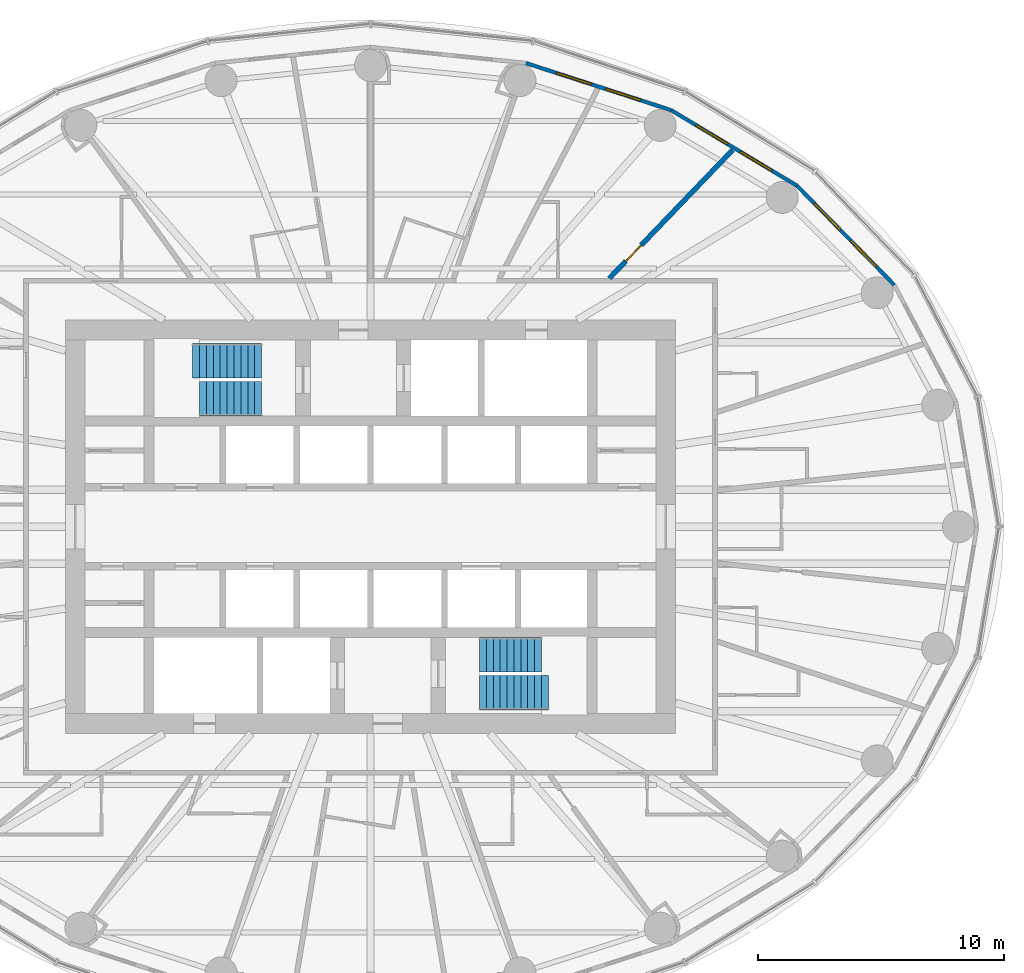
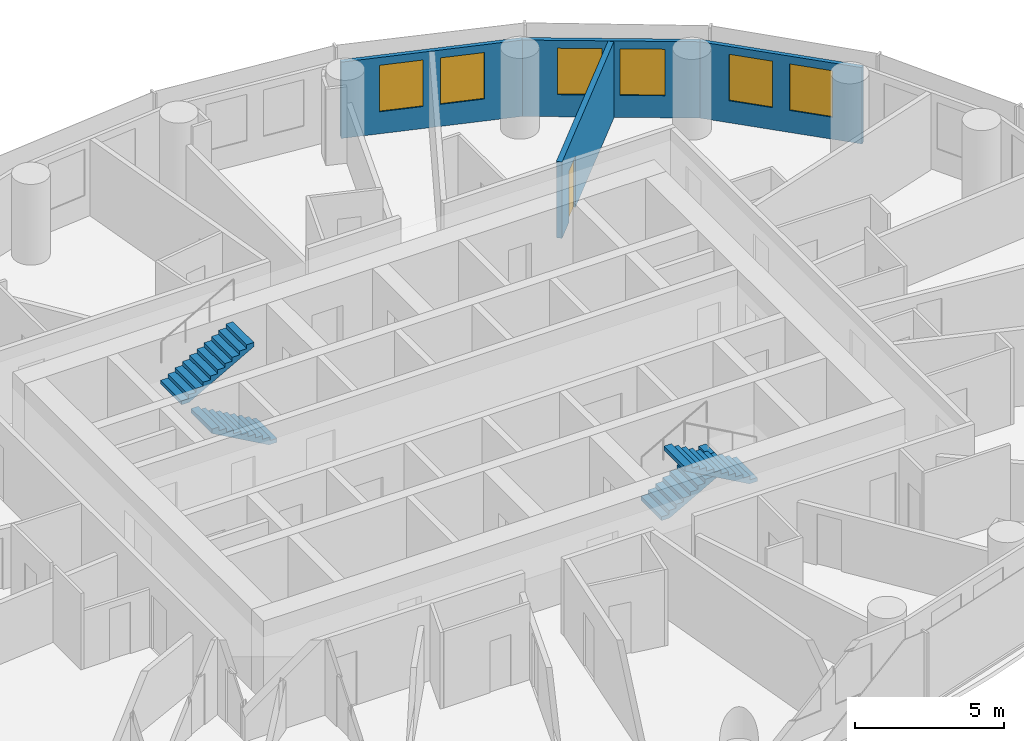
# One storey, part 12 of 13: 6 windows, 4 stair flights, 4 walls, 1 door, 7 openings, 2 elements without a shape of their own.
"""IFC4 building model written with IfcOpenShell, lengths in metres."""

from ifc_helpers import new_model, si_unit, direction, frame, frame_2d, origin, place, context, subcontext, project, spatial, polyline, rectangle, outline, extrude, material, layer, layer_set, type_object, element, fill, aggregate, save


model = new_model("IFC4")

# Units and contexts
model_context = context("Model", 3, precision=1e-05, world=origin(), true_north=direction((0.0, 1.0)))
body_context = subcontext(model_context, "Body", "Model", "MODEL_VIEW")
ifc_project = project(units=[si_unit("LENGTHUNIT", "METRE"), si_unit("AREAUNIT", "SQUARE_METRE"), si_unit("VOLUMEUNIT", "CUBIC_METRE"), si_unit("PLANEANGLEUNIT", "RADIAN"), si_unit("MASSUNIT", "GRAM", prefix="KILO")], contexts=[model_context])

# Site, building, storey
site_placement = place(None, origin())
site = spatial("IfcSite", under=ifc_project, at=site_placement, CompositionType="ELEMENT")
building_placement = place(site_placement, origin())
building = spatial("IfcBuilding", under=site, at=building_placement, Name="Hankou Lantern Tower", CompositionType="ELEMENT")
storey_placement = place(building_placement, frame((0.0, 0.0, 128.699951171875)))
storey = spatial("IfcBuildingStorey", under=building, at=storey_placement, Name="L33", CompositionType="ELEMENT", Elevation=128.699951171875)

# Wall, openings, windows
ifc_material_1 = material(Name="Aluminium spandrel panel on steel studs", Category="steel")
ifc_layer_1 = layer(ifc_material_1, 0.14990234375)
ifc_layer_set_1 = layer_set([ifc_layer_1], Name="Aluminium spandrel panel on steel studs")
wall_type_1 = type_object("IfcWallType", Name="EW1 INNER SKIN WALL 150", PredefinedType="ELEMENTEDWALL", material=ifc_layer_set_1)
wall_1_placement = place(storey_placement, frame((21.287353515625, 9.83203125, 0.0), z_axis=(0.0, 0.0, 1.0), x_axis=(-0.700136650834, 0.714008872605, 0.0)))
wall_1 = element("IfcWall", 1, at=wall_1_placement, inside=storey, type_object=wall_type_1, Name="Inner skin R03-R04 L33", PredefinedType="ELEMENTEDWALL", context=body_context, shape_type="SweptSolid", body=[
    extrude(rectangle(XDim=5.6494140625, YDim=0.14990234375, at=frame_2d((2.82470703125, 0.0))), origin(), (0.0, 0.0, 1.0), 3.1201171875),
])
opening_1_placement = place(wall_1_placement, frame((1.024658203125, 0.0, 0.89990234375)))
opening_1 = element("IfcOpeningElement", 2, at=opening_1_placement, cuts=wall_1, Name="Opening W2", PredefinedType="OPENING", context=body_context, shape_type="SweptSolid", body=[
    extrude(rectangle(XDim=1.5, YDim=1.89990234375, at=frame_2d((0.75, 0.949951171875))), frame((0.0, 0.0849609375, 0.0), z_axis=(0.0, -1.0, 0.0), x_axis=(1.0, 0.0, 0.0)), (0.0, 0.0, 1.0), 0.169921875),
])
opening_2_placement = place(wall_1_placement, frame((3.12451171875, 0.0, 0.89990234375)))
opening_2 = element("IfcOpeningElement", 3, at=opening_2_placement, cuts=wall_1, Name="Opening W2", PredefinedType="OPENING", context=body_context, shape_type="SweptSolid", body=[
    extrude(rectangle(XDim=1.5, YDim=1.89990234375, at=frame_2d((0.75, 0.949951171875))), frame((0.0, 0.0849609375, 0.0), z_axis=(0.0, -1.0, 0.0), x_axis=(1.0, 0.0, 0.0)), (0.0, 0.0, 1.0), 0.169921875),
])
ifc_material_2 = material(Name="Aluminium framed double glazed window", Category="aluminium")
window_type = type_object("IfcWindowType", Name="W2 GUEST ROOM WINDOW 1500X1900", PartitioningType="DOUBLE_PANEL_VERTICAL", PredefinedType="WINDOW", material=ifc_material_2)
window_1_placement = place(opening_1_placement, origin())
window_1 = element("IfcWindow", 4, at=window_1_placement, inside=storey, type_object=window_type, Name="Window R03.1 L33", OverallHeight=1.89990234375, OverallWidth=1.5, PartitioningType="SINGLE_PANEL", PredefinedType="WINDOW", context=body_context, shape_type="SweptSolid", body=[
    extrude(rectangle(XDim=1.5, YDim=1.89990234375, at=frame_2d((0.75, 0.949951171875))), frame((0.0, 0.030029296875, 0.0), z_axis=(0.0, -1.0, 0.0), x_axis=(1.0, 0.0, 0.0)), (0.0, 0.0, 1.0), 0.06005859375),
])
fill(opening_1, window_1)
window_2_placement = place(opening_2_placement, origin())
window_2 = element("IfcWindow", 5, at=window_2_placement, inside=storey, type_object=window_type, Name="Window R03.2 L33", OverallHeight=1.89990234375, OverallWidth=1.5, PartitioningType="SINGLE_PANEL", PredefinedType="WINDOW", context=body_context, shape_type="SweptSolid", body=[
    extrude(rectangle(XDim=1.5, YDim=1.89990234375, at=frame_2d((0.75, 0.949951171875))), frame((0.0, 0.030029296875, 0.0), z_axis=(0.0, -1.0, 0.0), x_axis=(1.0, 0.0, 0.0)), (0.0, 0.0, 1.0), 0.06005859375),
])
fill(opening_2, window_2)

wall_2_placement = place(storey_placement, frame((17.33203125, 13.86572265625, 0.0), z_axis=(0.0, 0.0, 1.0), x_axis=(-0.857308573723, 0.514802884044, 0.0)))
wall_2 = element("IfcWall", 6, at=wall_2_placement, inside=storey, type_object=wall_type_1, Name="Inner skin R04-R05 L33", PredefinedType="ELEMENTEDWALL", context=body_context, shape_type="SweptSolid", body=[
    extrude(rectangle(XDim=5.961181640625, YDim=0.14990234375, at=frame_2d((2.98046875, 0.0))), origin(), (0.0, 0.0, 1.0), 3.1201171875),
])
opening_3_placement = place(wall_2_placement, frame((1.1806640625, 0.0, 0.89990234375)))
opening_3 = element("IfcOpeningElement", 7, at=opening_3_placement, cuts=wall_2, Name="Opening W2", PredefinedType="OPENING", context=body_context, shape_type="SweptSolid", body=[
    extrude(rectangle(XDim=1.5, YDim=1.89990234375, at=frame_2d((0.75, 0.949951171875))), frame((0.0, 0.0849609375, 0.0), z_axis=(0.0, -1.0, 0.0), x_axis=(1.0, 0.0, 0.0)), (0.0, 0.0, 1.0), 0.169921875),
])
opening_4_placement = place(wall_2_placement, frame((3.280517578125, 0.0, 0.89990234375)))
opening_4 = element("IfcOpeningElement", 8, at=opening_4_placement, cuts=wall_2, Name="Opening W2", PredefinedType="OPENING", context=body_context, shape_type="SweptSolid", body=[
    extrude(rectangle(XDim=1.5, YDim=1.89990234375, at=frame_2d((0.75, 0.949951171875))), frame((0.0, 0.0849609375, 0.0), z_axis=(0.0, -1.0, 0.0), x_axis=(1.0, 0.0, 0.0)), (0.0, 0.0, 1.0), 0.169921875),
])
window_3_placement = place(opening_3_placement, origin())
window_3 = element("IfcWindow", 9, at=window_3_placement, inside=storey, type_object=window_type, Name="Window R04.1 L33", OverallHeight=1.89990234375, OverallWidth=1.5, PartitioningType="SINGLE_PANEL", PredefinedType="WINDOW", context=body_context, shape_type="SweptSolid", body=[
    extrude(rectangle(XDim=1.5, YDim=1.89990234375, at=frame_2d((0.75, 0.949951171875))), frame((0.0, 0.030029296875, 0.0), z_axis=(0.0, -1.0, 0.0), x_axis=(1.0, 0.0, 0.0)), (0.0, 0.0, 1.0), 0.06005859375),
])
fill(opening_3, window_3)
window_4_placement = place(opening_4_placement, origin())
window_4 = element("IfcWindow", 10, at=window_4_placement, inside=storey, type_object=window_type, Name="Window R04.2 L33", OverallHeight=1.89990234375, OverallWidth=1.5, PartitioningType="SINGLE_PANEL", PredefinedType="WINDOW", context=body_context, shape_type="SweptSolid", body=[
    extrude(rectangle(XDim=1.5, YDim=1.89990234375, at=frame_2d((0.75, 0.949951171875))), frame((0.0, 0.030029296875, 0.0), z_axis=(0.0, -1.0, 0.0), x_axis=(1.0, 0.0, 0.0)), (0.0, 0.0, 1.0), 0.06005859375),
])
fill(opening_4, window_4)

wall_3_placement = place(storey_placement, frame((12.221435546875, 16.9345703125, 0.0), z_axis=(0.0, 0.0, 1.0), x_axis=(-0.951272691506, 0.308350881944, 0.0)))
wall_3 = element("IfcWall", 11, at=wall_3_placement, inside=storey, type_object=wall_type_1, Name="Inner skin R05-R06 L33", PredefinedType="ELEMENTEDWALL", context=body_context, shape_type="SweptSolid", body=[
    extrude(rectangle(XDim=6.210693359375, YDim=0.14990234375, at=frame_2d((3.10546875, 0.0))), origin(), (0.0, 0.0, 1.0), 3.1201171875),
])
opening_5_placement = place(wall_3_placement, frame((1.305419921875, 0.0, 0.89990234375)))
opening_5 = element("IfcOpeningElement", 12, at=opening_5_placement, cuts=wall_3, Name="Opening W2", PredefinedType="OPENING", context=body_context, shape_type="SweptSolid", body=[
    extrude(rectangle(XDim=1.5, YDim=1.89990234375, at=frame_2d((0.75, 0.949951171875))), frame((0.0, 0.0849609375, 0.0), z_axis=(0.0, -1.0, 0.0), x_axis=(1.0, 0.0, 0.0)), (0.0, 0.0, 1.0), 0.169921875),
])
opening_6_placement = place(wall_3_placement, frame((3.4052734375, 0.0, 0.89990234375)))
opening_6 = element("IfcOpeningElement", 13, at=opening_6_placement, cuts=wall_3, Name="Opening W2", PredefinedType="OPENING", context=body_context, shape_type="SweptSolid", body=[
    extrude(rectangle(XDim=1.5, YDim=1.89990234375, at=frame_2d((0.75, 0.949951171875))), frame((0.0, 0.0849609375, 0.0), z_axis=(0.0, -1.0, 0.0), x_axis=(1.0, 0.0, 0.0)), (0.0, 0.0, 1.0), 0.169921875),
])
window_5_placement = place(opening_5_placement, origin())
window_5 = element("IfcWindow", 14, at=window_5_placement, inside=storey, type_object=window_type, Name="Window R05.1 L33", OverallHeight=1.89990234375, OverallWidth=1.5, PartitioningType="SINGLE_PANEL", PredefinedType="WINDOW", context=body_context, shape_type="SweptSolid", body=[
    extrude(rectangle(XDim=1.5, YDim=1.89990234375, at=frame_2d((0.75, 0.949951171875))), frame((0.0, 0.030029296875, 0.0), z_axis=(0.0, -1.0, 0.0), x_axis=(1.0, 0.0, 0.0)), (0.0, 0.0, 1.0), 0.06005859375),
])
fill(opening_5, window_5)
window_6_placement = place(opening_6_placement, origin())
window_6 = element("IfcWindow", 15, at=window_6_placement, inside=storey, type_object=window_type, Name="Window R05.2 L33", OverallHeight=1.89990234375, OverallWidth=1.5, PartitioningType="SINGLE_PANEL", PredefinedType="WINDOW", context=body_context, shape_type="SweptSolid", body=[
    extrude(rectangle(XDim=1.5, YDim=1.89990234375, at=frame_2d((0.75, 0.949951171875))), frame((0.0, 0.030029296875, 0.0), z_axis=(0.0, -1.0, 0.0), x_axis=(1.0, 0.0, 0.0)), (0.0, 0.0, 1.0), 0.06005859375),
])
fill(opening_6, window_6)

# Wall, opening, door
ifc_material_3 = material(Name="Masonry lightweight concrete block", Category="masonry")
ifc_layer_2 = layer(ifc_material_3, 0.199951171875)
ifc_layer_set_2 = layer_set([ifc_layer_2], Name="Masonry lightweight concrete block")
wall_type_2 = type_object("IfcWallType", Name="IW6 SUITE PARTITION 200", PredefinedType="PARTITIONING", material=ifc_layer_set_2)
wall_4_placement = place(storey_placement, frame((9.706298828125, 10.10009765625, 0.0), z_axis=(0.0, 0.0, 1.0), x_axis=(0.692944801824, 0.720990639069, 0.0)))
wall_4 = element("IfcWall", 16, at=wall_4_placement, inside=storey, type_object=wall_type_2, Name="Suite partition R04-R05", PredefinedType="PARTITIONING", context=body_context, shape_type="SweptSolid", body=[
    extrude(rectangle(XDim=7.23388671875, YDim=0.199951171875, at=frame_2d((3.616943359375, 0.0))), origin(), (0.0, 0.0, 1.0), 3.1201171875),
])
opening_7_placement = place(wall_4_placement, frame((0.969970703125, 0.0, 0.0)))
opening_7 = element("IfcOpeningElement", 17, at=opening_7_placement, cuts=wall_4, Name="Opening D27", PredefinedType="OPENING", context=body_context, shape_type="SweptSolid", body=[
    extrude(rectangle(XDim=0.89990234375, YDim=2.10009765625, at=frame_2d((0.449951171875, 1.050048828125))), frame((0.0, 0.10986328125, 0.0), z_axis=(0.0, -1.0, 0.0), x_axis=(1.0, 0.0, 0.0)), (0.0, 0.0, 1.0), 0.219970703125),
])
ifc_material_4 = material(Name="Timber door leaf", Category="wood")
door_type = type_object("IfcDoorType", Name="D27 INTERNAL DOOR 900X2100", OperationType="SINGLE_SWING_LEFT", PredefinedType="DOOR", material=ifc_material_4)
door_placement = place(opening_7_placement, origin())
door = element("IfcDoor", 18, at=door_placement, inside=storey, type_object=door_type, Name="Corner suite 3318 bedroom door", OperationType="SINGLE_SWING_LEFT", OverallHeight=2.10009765625, OverallWidth=0.89990234375, PredefinedType="DOOR", context=body_context, shape_type="SweptSolid", body=[
    extrude(rectangle(XDim=0.89990234375, YDim=2.10009765625, at=frame_2d((0.449951171875, 1.050048828125))), frame((0.0, 0.02490234375, 0.0), z_axis=(0.0, -1.0, 0.0), x_axis=(1.0, 0.0, 0.0)), (0.0, 0.0, 1.0), 0.050048828125),
])
fill(opening_7, door)

# Stair, stair flight
ifc_material_5 = material(Name="Concrete C40", Category="concrete")
stair_type = type_object("IfcStairType", Name="ST33 CORE STAIR 3300 RISE", PredefinedType="HALF_TURN_STAIR", material=ifc_material_5)
stair_1_placement = place(storey_placement, origin())
stair_1 = element("IfcStair", 19, at=stair_1_placement, inside=storey, type_object=stair_type, Name="Stair STA L33", PredefinedType="HALF_TURN_STAIR")
ifc_material_6 = material(Name="Concrete C40", Category="concrete")
stair_flight_type_1 = type_object("IfcStairFlightType", Name="CF10 CORE STAIR FLIGHT 1400 X 10 RISERS", PredefinedType="STRAIGHT", material=ifc_material_6)
stair_flight_1_placement = place(storey_placement, frame((-4.429931640625, 5.199951171875, 0.0), z_axis=(0.0, 0.0, 1.0), x_axis=(-1.0, 0.0, 0.0)))
stair_flight_1 = element("IfcStairFlight", 20, at=stair_flight_1_placement, type_object=stair_flight_type_1, Name="STA flight 1", NumberOfRisers=10, NumberOfTreads=9, PredefinedType="STRAIGHT", RiserHeight=0.157142857, TreadLength=0.28, context=body_context, shape_type="SweptSolid", body=[
    extrude(outline(polyline([(0.0, 0.0), (0.0, 0.1572265625), (0.280029296875, 0.1572265625), (0.280029296875, 0.314208984375), (0.56005859375, 0.314208984375), (0.56005859375, 0.471435546875), (0.840087890625, 0.471435546875), (0.840087890625, 0.628662109375), (1.1201171875, 0.628662109375), (1.1201171875, 0.78564453125), (1.39990234375, 0.78564453125), (1.39990234375, 0.94287109375), (1.679931640625, 0.94287109375), (1.679931640625, 1.10009765625), (1.9599609375, 1.10009765625), (1.9599609375, 1.257080078125), (2.239990234375, 1.257080078125), (2.239990234375, 1.414306640625), (2.52001953125, 1.414306640625), (2.52001953125, 1.571533203125), (2.52001953125, 1.242431640625), (0.306396484375, 0.0), (0.0, 0.0)])), frame((0.0, 0.699951171875, 0.0), z_axis=(0.0, -1.0, 0.0), x_axis=(1.0, 0.0, 0.0)), (0.0, 0.0, 1.0), 1.39990234375),
])

stair_2_placement = place(storey_placement, origin())
stair_2 = element("IfcStair", 21, at=stair_2_placement, inside=storey, type_object=stair_type, Name="Stair STB L33", PredefinedType="HALF_TURN_STAIR")
stair_flight_2_placement = place(storey_placement, frame((4.429931640625, -5.199951171875, 0.0), z_axis=(0.0, 0.0, 1.0), x_axis=(1.0, 0.0, 0.0)))
stair_flight_2 = element("IfcStairFlight", 22, at=stair_flight_2_placement, type_object=stair_flight_type_1, Name="STB flight 1", NumberOfRisers=10, NumberOfTreads=9, PredefinedType="STRAIGHT", RiserHeight=0.157142857, TreadLength=0.28, context=body_context, shape_type="SweptSolid", body=[
    extrude(outline(polyline([(0.0, 0.0), (0.0, 0.1572265625), (0.280029296875, 0.1572265625), (0.280029296875, 0.314208984375), (0.56005859375, 0.314208984375), (0.56005859375, 0.471435546875), (0.840087890625, 0.471435546875), (0.840087890625, 0.628662109375), (1.1201171875, 0.628662109375), (1.1201171875, 0.78564453125), (1.39990234375, 0.78564453125), (1.39990234375, 0.94287109375), (1.679931640625, 0.94287109375), (1.679931640625, 1.10009765625), (1.9599609375, 1.10009765625), (1.9599609375, 1.257080078125), (2.239990234375, 1.257080078125), (2.239990234375, 1.414306640625), (2.52001953125, 1.414306640625), (2.52001953125, 1.571533203125), (2.52001953125, 1.242431640625), (0.306396484375, 0.0), (0.0, 0.0)])), frame((0.0, 0.699951171875, 0.0), z_axis=(0.0, -1.0, 0.0), x_axis=(1.0, 0.0, 0.0)), (0.0, 0.0, 1.0), 1.39990234375),
])

# Stair flight
ifc_material_7 = material(Name="Concrete C40", Category="concrete")
stair_flight_type_2 = type_object("IfcStairFlightType", Name="CF11 CORE STAIR FLIGHT 1400 X 11 RISERS", PredefinedType="STRAIGHT", material=ifc_material_7)
stair_flight_3_placement = place(storey_placement, frame((-7.22998046875, 6.75, 1.571533203125), z_axis=(0.0, 0.0, 1.0), x_axis=(1.0, 0.0, 0.0)))
stair_flight_3 = element("IfcStairFlight", 23, at=stair_flight_3_placement, type_object=stair_flight_type_2, Name="STA flight 2", NumberOfRisers=11, NumberOfTreads=10, PredefinedType="STRAIGHT", RiserHeight=0.157142857, TreadLength=0.28, context=body_context, shape_type="SweptSolid", body=[
    extrude(outline(polyline([(0.0, 0.0), (0.0, 0.1572265625), (0.280029296875, 0.1572265625), (0.280029296875, 0.314208984375), (0.56005859375, 0.314208984375), (0.56005859375, 0.471435546875), (0.840087890625, 0.471435546875), (0.840087890625, 0.628662109375), (1.1201171875, 0.628662109375), (1.1201171875, 0.78564453125), (1.39990234375, 0.78564453125), (1.39990234375, 0.94287109375), (1.679931640625, 0.94287109375), (1.679931640625, 1.10009765625), (1.9599609375, 1.10009765625), (1.9599609375, 1.257080078125), (2.239990234375, 1.257080078125), (2.239990234375, 1.414306640625), (2.52001953125, 1.414306640625), (2.52001953125, 1.571533203125), (2.800048828125, 1.571533203125), (2.800048828125, 1.728515625), (2.800048828125, 1.3994140625), (0.306396484375, 0.0), (0.0, 0.0)])), frame((0.0, 0.699951171875, 0.0), z_axis=(0.0, -1.0, 0.0), x_axis=(1.0, 0.0, 0.0)), (0.0, 0.0, 1.0), 1.39990234375),
])

aggregate(stair_1, [stair_flight_1, stair_flight_3])

stair_flight_4_placement = place(storey_placement, frame((7.22998046875, -6.75, 1.571533203125), z_axis=(0.0, 0.0, 1.0), x_axis=(-1.0, 0.0, 0.0)))
stair_flight_4 = element("IfcStairFlight", 24, at=stair_flight_4_placement, type_object=stair_flight_type_2, Name="STB flight 2", NumberOfRisers=11, NumberOfTreads=10, PredefinedType="STRAIGHT", RiserHeight=0.157142857, TreadLength=0.28, context=body_context, shape_type="SweptSolid", body=[
    extrude(outline(polyline([(0.0, 0.0), (0.0, 0.1572265625), (0.280029296875, 0.1572265625), (0.280029296875, 0.314208984375), (0.56005859375, 0.314208984375), (0.56005859375, 0.471435546875), (0.840087890625, 0.471435546875), (0.840087890625, 0.628662109375), (1.1201171875, 0.628662109375), (1.1201171875, 0.78564453125), (1.39990234375, 0.78564453125), (1.39990234375, 0.94287109375), (1.679931640625, 0.94287109375), (1.679931640625, 1.10009765625), (1.9599609375, 1.10009765625), (1.9599609375, 1.257080078125), (2.239990234375, 1.257080078125), (2.239990234375, 1.414306640625), (2.52001953125, 1.414306640625), (2.52001953125, 1.571533203125), (2.800048828125, 1.571533203125), (2.800048828125, 1.728515625), (2.800048828125, 1.3994140625), (0.306396484375, 0.0), (0.0, 0.0)])), frame((0.0, 0.699951171875, 0.0), z_axis=(0.0, -1.0, 0.0), x_axis=(1.0, 0.0, 0.0)), (0.0, 0.0, 1.0), 1.39990234375),
])

aggregate(stair_2, [stair_flight_2, stair_flight_4])

save(model, "model.ifc")
